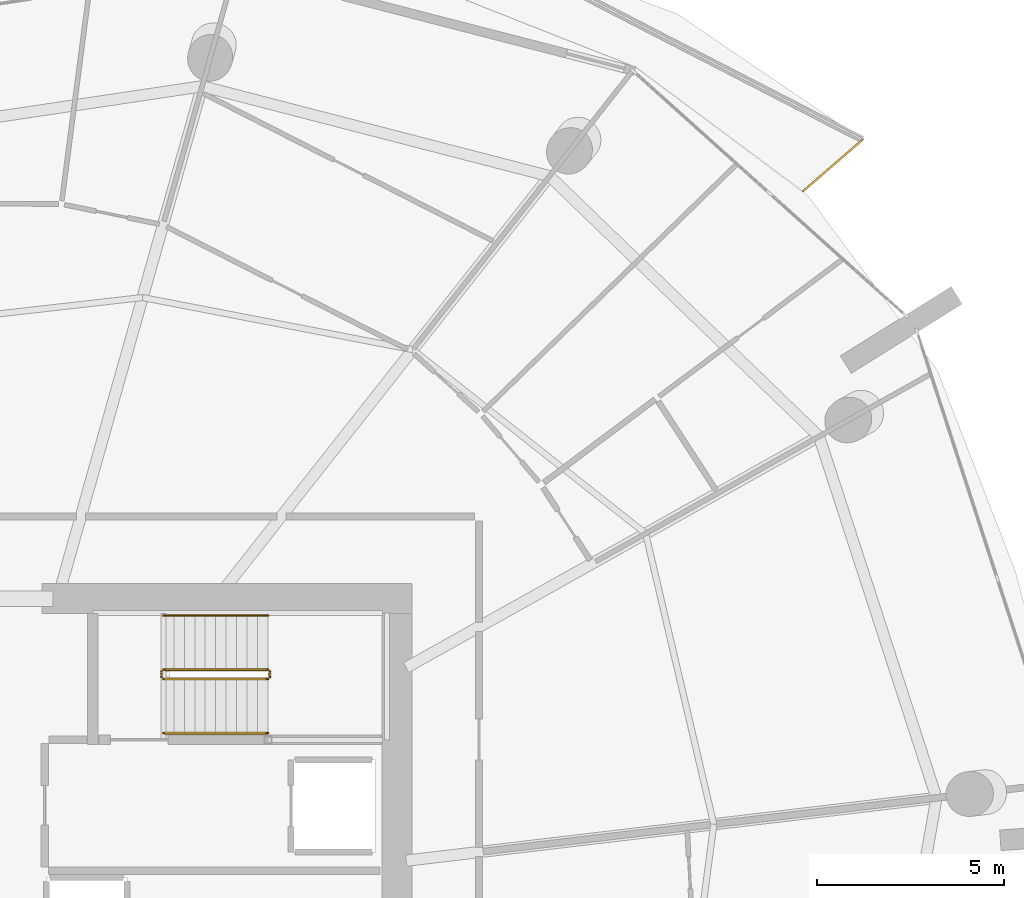
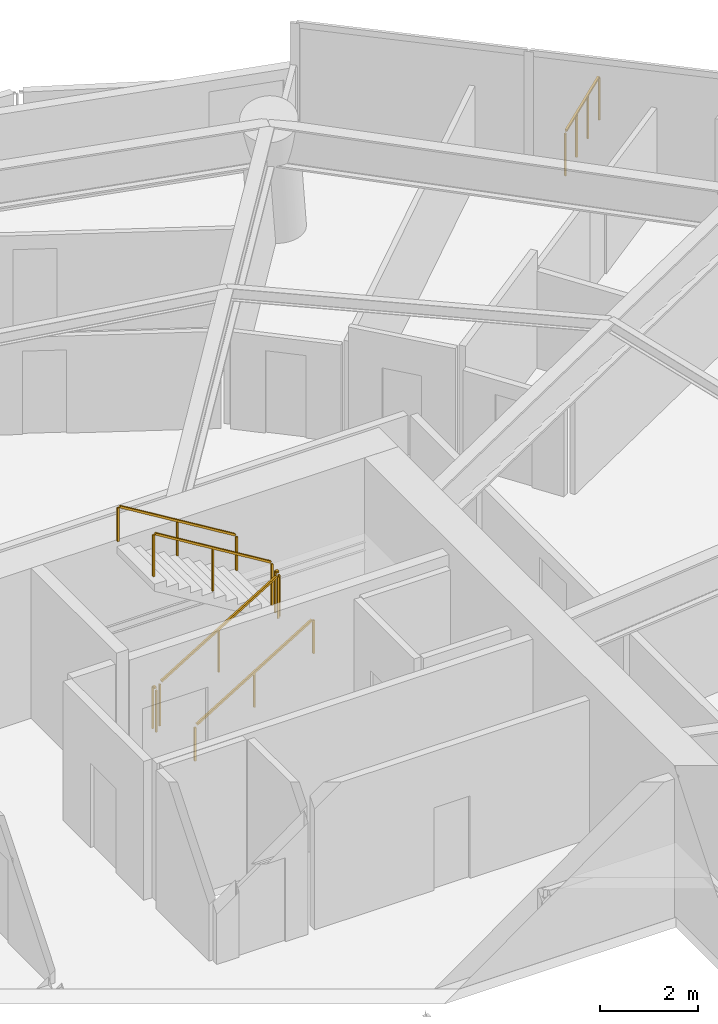
# One storey, part 22 of 23: 7 railings.
"""IFC4 building model written with IfcOpenShell, lengths in metres."""

from ifc_helpers import new_model, si_unit, direction, frame, origin, origin_2d, place, context, subcontext, project, spatial, rectangle, extrude, material, type_object, element, save


model = new_model("IFC4")

# Units and contexts
model_context = context("Model", 3, precision=1e-05, world=origin(), true_north=direction((0.0, 1.0)))
body_context = subcontext(model_context, "Body", "Model", "MODEL_VIEW")
ifc_project = project(units=[si_unit("LENGTHUNIT", "METRE"), si_unit("AREAUNIT", "SQUARE_METRE"), si_unit("VOLUMEUNIT", "CUBIC_METRE"), si_unit("PLANEANGLEUNIT", "RADIAN"), si_unit("MASSUNIT", "GRAM", prefix="KILO")], contexts=[model_context])

# Site, building, storey
site_placement = place(None, origin())
site = spatial("IfcSite", under=ifc_project, at=site_placement, CompositionType="ELEMENT")
building_placement = place(site_placement, origin())
building = spatial("IfcBuilding", under=site, at=building_placement, Name="Kazma Halo Residences", CompositionType="ELEMENT")
storey_placement = place(building_placement, frame((0.0, 0.0, 112.64990234375)))
storey = spatial("IfcBuildingStorey", under=building, at=storey_placement, Name="L28", CompositionType="ELEMENT", Elevation=112.64990234375)

# Railings
ifc_material_1 = material(Name="Aluminium AW-6063 T6 Brushed Cap Rail", Category="aluminium")
railing_type_1 = type_object("IfcRailingType", Name="RLG-BAL-CAP-1120", PredefinedType="BALUSTRADE", material=ifc_material_1)
railing_1_placement = place(storey_placement, frame((70.323974609375, 61.303466796875, 0.0)))
element("IfcRailing", 1, at=railing_1_placement, inside=storey, type_object=railing_type_1, Name="L28 NE wave balcony guard 1", PredefinedType="BALUSTRADE", context=body_context, shape_type="SweptSolid", body=[
    extrude(rectangle(XDim=0.050048828125, YDim=0.050048828125, at=origin_2d()), frame((0.0322265625, 0.02783203125, 1.09521484375), z_axis=(0.756383280666, 0.654128682087, 0.0), x_axis=(-0.654128682087, 0.756383280666, 0.0)), (0.0, 0.0, 1.0), 2.025634765625),
    extrude(rectangle(XDim=0.0400390625, YDim=0.0400390625, at=origin_2d()), origin(), (0.0, 0.0, 1.0), 1.05810546875),
    extrude(rectangle(XDim=0.0400390625, YDim=0.0400390625, at=origin_2d()), frame((0.5322265625, 0.460205078125, 0.0)), (0.0, 0.0, 1.0), 1.05810546875),
    extrude(rectangle(XDim=0.0400390625, YDim=0.0400390625, at=origin_2d()), frame((1.064208984375, 0.92041015625, 0.0)), (0.0, 0.0, 1.0), 1.05810546875),
    extrude(rectangle(XDim=0.0400390625, YDim=0.0400390625, at=origin_2d()), frame((1.596435546875, 1.380615234375, 0.0)), (0.0, 0.0, 1.0), 1.05810546875),
])
ifc_material_2 = material(Name="Painted Steel S355", Category="steel")
railing_type_2 = type_object("IfcRailingType", Name="RLG-STAIR-GRD-1100", PredefinedType="GUARDRAIL", material=ifc_material_2)
railing_2_placement = place(storey_placement, frame((53.199951171875, 48.25, 0.170654296875)))
element("IfcRailing", 2, at=railing_2_placement, inside=storey, type_object=railing_type_2, Name="L28 ST-02 stair guard 1", PredefinedType="GUARDRAIL", context=body_context, shape_type="SweptSolid", body=[
    extrude(rectangle(XDim=0.050048828125, YDim=0.050048828125, at=origin_2d()), frame((0.036376953125, 0.0, 1.09716796875), z_axis=(0.854202870247, 0.0, 0.519939858505), x_axis=(0.0, 1.0, 0.0)), (0.0, 0.0, 1.0), 3.19287109375),
    extrude(rectangle(XDim=0.0400390625, YDim=0.0400390625, at=origin_2d()), origin(), (0.0, 0.0, 1.0), 1.0380859375),
    extrude(rectangle(XDim=0.0400390625, YDim=0.0400390625, at=origin_2d()), frame((1.39990234375, 0.0, 0.85205078125)), (0.0, 0.0, 1.0), 1.0380859375),
    extrude(rectangle(XDim=0.0400390625, YDim=0.0400390625, at=origin_2d()), frame((2.800048828125, 0.0, 1.704345703125)), (0.0, 0.0, 1.0), 1.0380859375),
])
railing_3_placement = place(storey_placement, frame((56.050048828125, 48.300048828125, 1.875)))
element("IfcRailing", 3, at=railing_3_placement, inside=storey, type_object=railing_type_2, Name="L28 ST-02 stair guard 2", PredefinedType="GUARDRAIL", context=body_context, shape_type="SweptSolid", body=[
    extrude(rectangle(XDim=0.050048828125, YDim=0.050048828125, at=origin_2d()), frame((0.0, 0.04248046875, 1.0751953125), z_axis=(0.0, 1.0, 0.0), x_axis=(-1.0, 0.0, 0.0)), (0.0, 0.0, 1.0), 0.06494140625),
    extrude(rectangle(XDim=0.0400390625, YDim=0.0400390625, at=origin_2d()), origin(), (0.0, 0.0, 1.0), 1.0380859375),
    extrude(rectangle(XDim=0.0400390625, YDim=0.0400390625, at=origin_2d()), frame((0.0, 0.14990234375, 0.0)), (0.0, 0.0, 1.0), 1.0380859375),
])
railing_4_placement = place(storey_placement, frame((56.0, 48.5, 2.045654296875)))
element("IfcRailing", 4, at=railing_4_placement, inside=storey, type_object=railing_type_2, Name="L28 ST-02 stair guard 3", PredefinedType="GUARDRAIL", context=body_context, shape_type="SweptSolid", body=[
    extrude(rectangle(XDim=0.050048828125, YDim=0.050048828125, at=origin_2d()), frame((-0.036376953125, 0.0, 1.09716796875), z_axis=(-0.854202870247, 0.0, 0.519939858505), x_axis=(0.0, -1.0, 0.0)), (0.0, 0.0, 1.0), 3.19287109375),
    extrude(rectangle(XDim=0.0400390625, YDim=0.0400390625, at=origin_2d()), origin(), (0.0, 0.0, 1.0), 1.0380859375),
    extrude(rectangle(XDim=0.0400390625, YDim=0.0400390625, at=origin_2d()), frame((-1.39990234375, 0.0, 0.85205078125)), (0.0, 0.0, 1.0), 1.0380859375),
    extrude(rectangle(XDim=0.0400390625, YDim=0.0400390625, at=origin_2d()), frame((-2.800048828125, 0.0, 1.704345703125)), (0.0, 0.0, 1.0), 1.0380859375),
])
railing_5_placement = place(storey_placement, frame((53.14990234375, 48.300048828125, 0.0)))
element("IfcRailing", 5, at=railing_5_placement, inside=storey, type_object=railing_type_2, Name="L28 ST-02 stair guard 4", PredefinedType="GUARDRAIL", context=body_context, shape_type="SweptSolid", body=[
    extrude(rectangle(XDim=0.050048828125, YDim=0.050048828125, at=origin_2d()), frame((0.0, 0.04248046875, 1.0751953125), z_axis=(0.0, 1.0, 0.0), x_axis=(-1.0, 0.0, 0.0)), (0.0, 0.0, 1.0), 0.06494140625),
    extrude(rectangle(XDim=0.0400390625, YDim=0.0400390625, at=origin_2d()), origin(), (0.0, 0.0, 1.0), 1.0380859375),
    extrude(rectangle(XDim=0.0400390625, YDim=0.0400390625, at=origin_2d()), frame((0.0, 0.14990234375, 0.0)), (0.0, 0.0, 1.0), 1.0380859375),
])
ifc_material_3 = material(Name="Brushed Stainless Steel", Category="steel")
railing_type_3 = type_object("IfcRailingType", Name="RLG-STAIR-HND-900", PredefinedType="HANDRAIL", material=ifc_material_3)
railing_6_placement = place(storey_placement, frame((53.199951171875, 46.800048828125, 0.170654296875)))
element("IfcRailing", 6, at=railing_6_placement, inside=storey, type_object=railing_type_3, Name="L28 ST-02 stair handrail 1", PredefinedType="HANDRAIL", context=body_context, shape_type="SweptSolid", body=[
    extrude(rectangle(XDim=0.050048828125, YDim=0.050048828125, at=origin_2d()), frame((0.036376953125, 0.0, 0.89697265625), z_axis=(0.854202870247, 0.0, 0.519939858505), x_axis=(0.0, 1.0, 0.0)), (0.0, 0.0, 1.0), 3.19287109375),
    extrude(rectangle(XDim=0.0400390625, YDim=0.0400390625, at=origin_2d()), origin(), (0.0, 0.0, 1.0), 0.837890625),
    extrude(rectangle(XDim=0.0400390625, YDim=0.0400390625, at=origin_2d()), frame((1.39990234375, 0.0, 0.85205078125)), (0.0, 0.0, 1.0), 0.837890625),
    extrude(rectangle(XDim=0.0400390625, YDim=0.0400390625, at=origin_2d()), frame((2.800048828125, 0.0, 1.704345703125)), (0.0, 0.0, 1.0), 0.837890625),
])
railing_7_placement = place(storey_placement, frame((56.0, 49.949951171875, 2.045654296875)))
element("IfcRailing", 7, at=railing_7_placement, inside=storey, type_object=railing_type_3, Name="L28 ST-02 stair handrail 2", PredefinedType="HANDRAIL", context=body_context, shape_type="SweptSolid", body=[
    extrude(rectangle(XDim=0.050048828125, YDim=0.050048828125, at=origin_2d()), frame((-0.036376953125, 0.0, 0.89697265625), z_axis=(-0.854202870247, 0.0, 0.519939858505), x_axis=(0.0, -1.0, 0.0)), (0.0, 0.0, 1.0), 3.19287109375),
    extrude(rectangle(XDim=0.0400390625, YDim=0.0400390625, at=origin_2d()), origin(), (0.0, 0.0, 1.0), 0.837890625),
    extrude(rectangle(XDim=0.0400390625, YDim=0.0400390625, at=origin_2d()), frame((-1.39990234375, 0.0, 0.85205078125)), (0.0, 0.0, 1.0), 0.837890625),
    extrude(rectangle(XDim=0.0400390625, YDim=0.0400390625, at=origin_2d()), frame((-2.800048828125, 0.0, 1.704345703125)), (0.0, 0.0, 1.0), 0.837890625),
])

save(model, "model.ifc")
